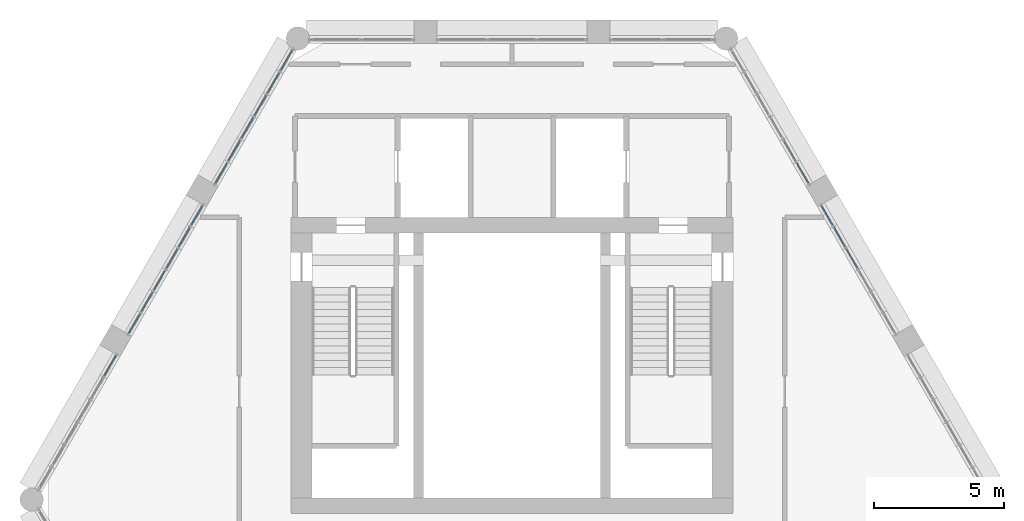
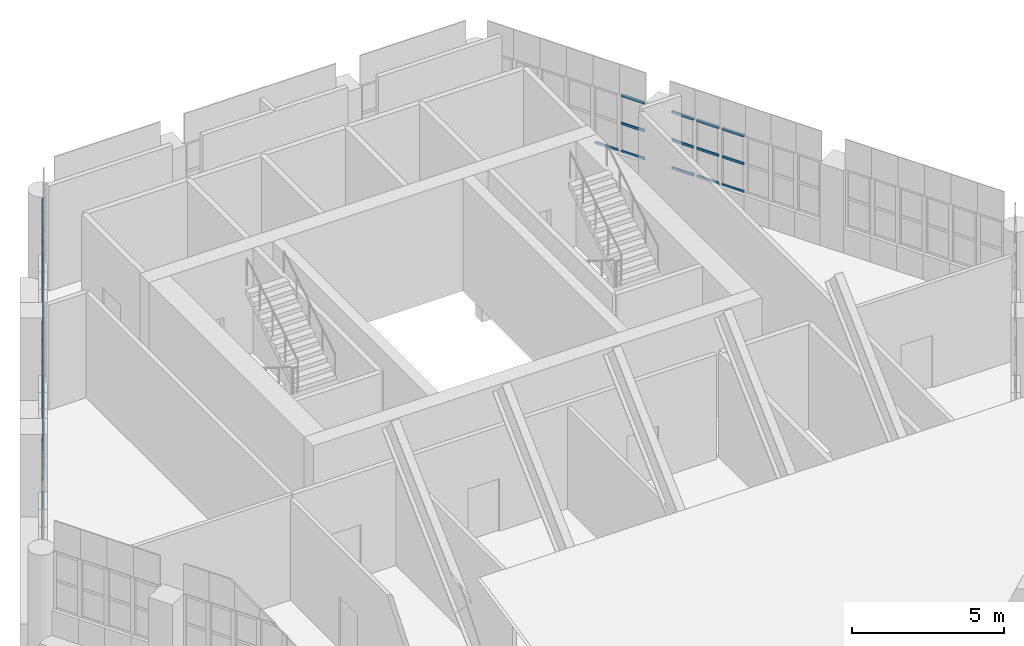
# One storey, part 15 of 25: 52 members, 18 elements without a shape of their own.
"""IFC4 building model written with IfcOpenShell, lengths in metres."""

from ifc_helpers import new_model, si_unit, direction, frame, origin, origin_2d, place, context, subcontext, project, spatial, hollow_rectangle, extrude, material, material_profile, profile_set, type_object, element, aggregate, save


model = new_model("IFC4")

# Units and contexts
model_context = context("Model", 3, precision=1e-05, world=origin(), true_north=direction((0.0, 1.0)))
body_context = subcontext(model_context, "Body", "Model", "MODEL_VIEW")
ifc_project = project(units=[si_unit("LENGTHUNIT", "METRE"), si_unit("AREAUNIT", "SQUARE_METRE"), si_unit("VOLUMEUNIT", "CUBIC_METRE"), si_unit("PLANEANGLEUNIT", "RADIAN"), si_unit("MASSUNIT", "GRAM", prefix="KILO")], contexts=[model_context])

# Site, building, storey
site_placement = place(None, origin())
site = spatial("IfcSite", under=ifc_project, at=site_placement, CompositionType="ELEMENT")
building_placement = place(site_placement, origin())
building = spatial("IfcBuilding", under=site, at=building_placement, Name="Ostrander Bayou Hotel Tower", CompositionType="ELEMENT")
storey_placement = place(building_placement, frame((0.0, 0.0, 275.0)))
storey = spatial("IfcBuildingStorey", under=building, at=storey_placement, Name="L68", CompositionType="ELEMENT", Elevation=275.0)

# Curtain wall, members
ifc_material_1 = material(Name="Aluminium and clear glass", Category="aluminium")
curtain_wall_type = type_object("IfcCurtainWallType", Name="CW-CROWN glazed wall", PredefinedType="NOTDEFINED", material=ifc_material_1)
curtain_wall_1_placement = place(storey_placement, origin())
curtain_wall_1 = element("IfcCurtainWall", 1, at=curtain_wall_1_placement, inside=storey, type_object=curtain_wall_type, Name="CW-CROWN L68:NW-1-1", PredefinedType="NOTDEFINED")
ifc_material_2 = material(Name="Aluminium", Category="aluminium")
ifc_material_profile = material_profile(ifc_material_2, hollow_rectangle(XDim=0.050048828125, YDim=0.10009765625, WallThickness=0.00390625, at=origin_2d()))
ifc_profile_set = profile_set([ifc_material_profile], Name="Aluminium")
member_type = type_object("IfcMemberType", Name="CW-CR transom 50 x 100 mm", PredefinedType="USERDEFINED", material=ifc_profile_set)
member_1_placement = place(storey_placement, frame((-8.4619140625, 16.13037109375, 1.030029296875), z_axis=(-0.500033502416, -0.866006060292, 0.0), x_axis=(0.866006060292, -0.500033502416, 0.0)))
member_1 = element("IfcMember", 2, at=member_1_placement, type_object=member_type, Name="CW-CROWN transom 1.1", ObjectType="TRANSOM", PredefinedType="USERDEFINED", context=body_context, shape_type="SweptSolid", body=[
    extrude(hollow_rectangle(XDim=0.050048828125, YDim=0.10009765625, WallThickness=0.00390625, at=origin_2d()), origin(), (0.0, 0.0, 1.0), 0.88330078125),
])
member_2_placement = place(storey_placement, frame((-8.4619140625, 16.13037109375, 2.14990234375), z_axis=(-0.500033502416, -0.866006060292, 0.0), x_axis=(0.866006060292, -0.500033502416, 0.0)))
member_2 = element("IfcMember", 3, at=member_2_placement, type_object=member_type, Name="CW-CROWN transom 1.2", ObjectType="TRANSOM", PredefinedType="USERDEFINED", context=body_context, shape_type="SweptSolid", body=[
    extrude(hollow_rectangle(XDim=0.050048828125, YDim=0.10009765625, WallThickness=0.00390625, at=origin_2d()), origin(), (0.0, 0.0, 1.0), 0.88330078125),
])
member_3_placement = place(storey_placement, frame((-8.4619140625, 16.13037109375, 3.27001953125), z_axis=(-0.500033502416, -0.866006060292, 0.0), x_axis=(0.866006060292, -0.500033502416, 0.0)))
member_3 = element("IfcMember", 4, at=member_3_placement, type_object=member_type, Name="CW-CROWN transom 1.3", ObjectType="TRANSOM", PredefinedType="USERDEFINED", context=body_context, shape_type="SweptSolid", body=[
    extrude(hollow_rectangle(XDim=0.050048828125, YDim=0.10009765625, WallThickness=0.00390625, at=origin_2d()), origin(), (0.0, 0.0, 1.0), 0.88330078125),
])
aggregate(curtain_wall_1, [member_1, member_2, member_3])

curtain_wall_2_placement = place(storey_placement, origin())
curtain_wall_2 = element("IfcCurtainWall", 5, at=curtain_wall_2_placement, inside=storey, type_object=curtain_wall_type, Name="CW-CROWN L68:NW-1-2", PredefinedType="NOTDEFINED")
member_4_placement = place(storey_placement, frame((-8.963623046875, 15.26171875, 1.030029296875), z_axis=(-0.500033502416, -0.866006060292, 0.0), x_axis=(0.866006060292, -0.500033502416, 0.0)))
member_4 = element("IfcMember", 6, at=member_4_placement, type_object=member_type, Name="CW-CROWN transom 1.1", ObjectType="TRANSOM", PredefinedType="USERDEFINED", context=body_context, shape_type="SweptSolid", body=[
    extrude(hollow_rectangle(XDim=0.050048828125, YDim=0.10009765625, WallThickness=0.00390625, at=origin_2d()), origin(), (0.0, 0.0, 1.0), 0.88330078125),
])
member_5_placement = place(storey_placement, frame((-8.963623046875, 15.26171875, 2.14990234375), z_axis=(-0.500033502416, -0.866006060292, 0.0), x_axis=(0.866006060292, -0.500033502416, 0.0)))
member_5 = element("IfcMember", 7, at=member_5_placement, type_object=member_type, Name="CW-CROWN transom 1.2", ObjectType="TRANSOM", PredefinedType="USERDEFINED", context=body_context, shape_type="SweptSolid", body=[
    extrude(hollow_rectangle(XDim=0.050048828125, YDim=0.10009765625, WallThickness=0.00390625, at=origin_2d()), origin(), (0.0, 0.0, 1.0), 0.88330078125),
])
member_6_placement = place(storey_placement, frame((-8.963623046875, 15.26171875, 3.27001953125), z_axis=(-0.500033502416, -0.866006060292, 0.0), x_axis=(0.866006060292, -0.500033502416, 0.0)))
member_6 = element("IfcMember", 8, at=member_6_placement, type_object=member_type, Name="CW-CROWN transom 1.3", ObjectType="TRANSOM", PredefinedType="USERDEFINED", context=body_context, shape_type="SweptSolid", body=[
    extrude(hollow_rectangle(XDim=0.050048828125, YDim=0.10009765625, WallThickness=0.00390625, at=origin_2d()), origin(), (0.0, 0.0, 1.0), 0.88330078125),
])
aggregate(curtain_wall_2, [member_4, member_5, member_6])

curtain_wall_3_placement = place(storey_placement, origin())
curtain_wall_3 = element("IfcCurtainWall", 9, at=curtain_wall_3_placement, inside=storey, type_object=curtain_wall_type, Name="CW-CROWN L68:NW-1-3", PredefinedType="NOTDEFINED")
member_7_placement = place(storey_placement, frame((-9.465087890625, 14.392822265625, 1.030029296875), z_axis=(-0.500153222552, -0.865936922628, 0.0), x_axis=(0.865936922628, -0.500153222552, 0.0)))
member_7 = element("IfcMember", 10, at=member_7_placement, type_object=member_type, Name="CW-CROWN transom 1.1", ObjectType="TRANSOM", PredefinedType="USERDEFINED", context=body_context, shape_type="SweptSolid", body=[
    extrude(hollow_rectangle(XDim=0.050048828125, YDim=0.10009765625, WallThickness=0.00390625, at=origin_2d()), origin(), (0.0, 0.0, 1.0), 0.883056640625),
])
member_8_placement = place(storey_placement, frame((-9.465087890625, 14.392822265625, 2.14990234375), z_axis=(-0.500153222552, -0.865936922628, 0.0), x_axis=(0.865936922628, -0.500153222552, 0.0)))
member_8 = element("IfcMember", 11, at=member_8_placement, type_object=member_type, Name="CW-CROWN transom 1.2", ObjectType="TRANSOM", PredefinedType="USERDEFINED", context=body_context, shape_type="SweptSolid", body=[
    extrude(hollow_rectangle(XDim=0.050048828125, YDim=0.10009765625, WallThickness=0.00390625, at=origin_2d()), origin(), (0.0, 0.0, 1.0), 0.883056640625),
])
member_9_placement = place(storey_placement, frame((-9.465087890625, 14.392822265625, 3.27001953125), z_axis=(-0.500153222552, -0.865936922628, 0.0), x_axis=(0.865936922628, -0.500153222552, 0.0)))
member_9 = element("IfcMember", 12, at=member_9_placement, type_object=member_type, Name="CW-CROWN transom 1.3", ObjectType="TRANSOM", PredefinedType="USERDEFINED", context=body_context, shape_type="SweptSolid", body=[
    extrude(hollow_rectangle(XDim=0.050048828125, YDim=0.10009765625, WallThickness=0.00390625, at=origin_2d()), origin(), (0.0, 0.0, 1.0), 0.883056640625),
])
aggregate(curtain_wall_3, [member_7, member_8, member_9])

curtain_wall_4_placement = place(storey_placement, origin())
curtain_wall_4 = element("IfcCurtainWall", 13, at=curtain_wall_4_placement, inside=storey, type_object=curtain_wall_type, Name="CW-CROWN L68:NW-1-4", PredefinedType="NOTDEFINED")
member_10_placement = place(storey_placement, frame((-9.966796875, 13.524169921875, 1.030029296875), z_axis=(-0.499826157957, -0.866125748273, 0.0), x_axis=(0.866125748273, -0.499826157957, 0.0)))
member_10 = element("IfcMember", 14, at=member_10_placement, type_object=member_type, Name="CW-CROWN transom 1.1", ObjectType="TRANSOM", PredefinedType="USERDEFINED", context=body_context, shape_type="SweptSolid", body=[
    extrude(hollow_rectangle(XDim=0.050048828125, YDim=0.10009765625, WallThickness=0.00390625, at=origin_2d()), origin(), (0.0, 0.0, 1.0), 0.883056640625),
])
member_11_placement = place(storey_placement, frame((-9.966796875, 13.524169921875, 2.14990234375), z_axis=(-0.499826157957, -0.866125748273, 0.0), x_axis=(0.866125748273, -0.499826157957, 0.0)))
member_11 = element("IfcMember", 15, at=member_11_placement, type_object=member_type, Name="CW-CROWN transom 1.2", ObjectType="TRANSOM", PredefinedType="USERDEFINED", context=body_context, shape_type="SweptSolid", body=[
    extrude(hollow_rectangle(XDim=0.050048828125, YDim=0.10009765625, WallThickness=0.00390625, at=origin_2d()), origin(), (0.0, 0.0, 1.0), 0.883056640625),
])
member_12_placement = place(storey_placement, frame((-9.966796875, 13.524169921875, 3.27001953125), z_axis=(-0.499826157957, -0.866125748273, 0.0), x_axis=(0.866125748273, -0.499826157957, 0.0)))
member_12 = element("IfcMember", 16, at=member_12_placement, type_object=member_type, Name="CW-CROWN transom 1.3", ObjectType="TRANSOM", PredefinedType="USERDEFINED", context=body_context, shape_type="SweptSolid", body=[
    extrude(hollow_rectangle(XDim=0.050048828125, YDim=0.10009765625, WallThickness=0.00390625, at=origin_2d()), origin(), (0.0, 0.0, 1.0), 0.883056640625),
])
aggregate(curtain_wall_4, [member_10, member_11, member_12])

curtain_wall_5_placement = place(storey_placement, origin())
curtain_wall_5 = element("IfcCurtainWall", 17, at=curtain_wall_5_placement, inside=storey, type_object=curtain_wall_type, Name="CW-CROWN L68:NW-1-5", PredefinedType="NOTDEFINED")
member_13_placement = place(storey_placement, frame((-10.46826171875, 12.6552734375, 1.030029296875), z_axis=(-0.500153222552, -0.865936922628, 0.0), x_axis=(0.865936922628, -0.500153222552, 0.0)))
member_13 = element("IfcMember", 18, at=member_13_placement, type_object=member_type, Name="CW-CROWN transom 1.1", ObjectType="TRANSOM", PredefinedType="USERDEFINED", context=body_context, shape_type="SweptSolid", body=[
    extrude(hollow_rectangle(XDim=0.050048828125, YDim=0.10009765625, WallThickness=0.00390625, at=origin_2d()), origin(), (0.0, 0.0, 1.0), 0.883056640625),
])
member_14_placement = place(storey_placement, frame((-10.46826171875, 12.6552734375, 2.14990234375), z_axis=(-0.500153222552, -0.865936922628, 0.0), x_axis=(0.865936922628, -0.500153222552, 0.0)))
member_14 = element("IfcMember", 19, at=member_14_placement, type_object=member_type, Name="CW-CROWN transom 1.2", ObjectType="TRANSOM", PredefinedType="USERDEFINED", context=body_context, shape_type="SweptSolid", body=[
    extrude(hollow_rectangle(XDim=0.050048828125, YDim=0.10009765625, WallThickness=0.00390625, at=origin_2d()), origin(), (0.0, 0.0, 1.0), 0.883056640625),
])
member_15_placement = place(storey_placement, frame((-10.46826171875, 12.6552734375, 3.27001953125), z_axis=(-0.500153222552, -0.865936922628, 0.0), x_axis=(0.865936922628, -0.500153222552, 0.0)))
member_15 = element("IfcMember", 20, at=member_15_placement, type_object=member_type, Name="CW-CROWN transom 1.3", ObjectType="TRANSOM", PredefinedType="USERDEFINED", context=body_context, shape_type="SweptSolid", body=[
    extrude(hollow_rectangle(XDim=0.050048828125, YDim=0.10009765625, WallThickness=0.00390625, at=origin_2d()), origin(), (0.0, 0.0, 1.0), 0.883056640625),
])
aggregate(curtain_wall_5, [member_13, member_14, member_15])

curtain_wall_6_placement = place(storey_placement, origin())
curtain_wall_6 = element("IfcCurtainWall", 21, at=curtain_wall_6_placement, inside=storey, type_object=curtain_wall_type, Name="CW-CROWN L68:NW-1-6", PredefinedType="NOTDEFINED")
member_16_placement = place(storey_placement, frame((-10.969970703125, 11.78662109375, 1.030029296875), z_axis=(-0.500033502416, -0.866006060292, 0.0), x_axis=(0.866006060292, -0.500033502416, 0.0)))
member_16 = element("IfcMember", 22, at=member_16_placement, type_object=member_type, Name="CW-CROWN transom 1.1", ObjectType="TRANSOM", PredefinedType="USERDEFINED", context=body_context, shape_type="SweptSolid", body=[
    extrude(hollow_rectangle(XDim=0.050048828125, YDim=0.10009765625, WallThickness=0.00390625, at=origin_2d()), origin(), (0.0, 0.0, 1.0), 0.88330078125),
])
member_17_placement = place(storey_placement, frame((-10.969970703125, 11.78662109375, 2.14990234375), z_axis=(-0.500033502416, -0.866006060292, 0.0), x_axis=(0.866006060292, -0.500033502416, 0.0)))
member_17 = element("IfcMember", 23, at=member_17_placement, type_object=member_type, Name="CW-CROWN transom 1.2", ObjectType="TRANSOM", PredefinedType="USERDEFINED", context=body_context, shape_type="SweptSolid", body=[
    extrude(hollow_rectangle(XDim=0.050048828125, YDim=0.10009765625, WallThickness=0.00390625, at=origin_2d()), origin(), (0.0, 0.0, 1.0), 0.88330078125),
])
member_18_placement = place(storey_placement, frame((-10.969970703125, 11.78662109375, 3.27001953125), z_axis=(-0.500033502416, -0.866006060292, 0.0), x_axis=(0.866006060292, -0.500033502416, 0.0)))
member_18 = element("IfcMember", 24, at=member_18_placement, type_object=member_type, Name="CW-CROWN transom 1.3", ObjectType="TRANSOM", PredefinedType="USERDEFINED", context=body_context, shape_type="SweptSolid", body=[
    extrude(hollow_rectangle(XDim=0.050048828125, YDim=0.10009765625, WallThickness=0.00390625, at=origin_2d()), origin(), (0.0, 0.0, 1.0), 0.88330078125),
])
aggregate(curtain_wall_6, [member_16, member_17, member_18])

curtain_wall_7_placement = place(storey_placement, origin())
curtain_wall_7 = element("IfcCurtainWall", 25, at=curtain_wall_7_placement, inside=storey, type_object=curtain_wall_type, Name="CW-CROWN L68:NW-2-1", PredefinedType="NOTDEFINED")
member_19_placement = place(storey_placement, frame((-11.92138671875, 10.138427734375, 1.030029296875), z_axis=(-0.500016035621, -0.866016145416, 0.0), x_axis=(0.866016145416, -0.500016035621, 0.0)))
member_19 = element("IfcMember", 26, at=member_19_placement, type_object=member_type, Name="CW-CROWN transom 1.1", ObjectType="TRANSOM", PredefinedType="USERDEFINED", context=body_context, shape_type="SweptSolid", body=[
    extrude(hollow_rectangle(XDim=0.050048828125, YDim=0.10009765625, WallThickness=0.00390625, at=origin_2d()), origin(), (0.0, 0.0, 1.0), 0.83984375),
])
member_20_placement = place(storey_placement, frame((-11.92138671875, 10.138427734375, 2.14990234375), z_axis=(-0.500016035621, -0.866016145416, 0.0), x_axis=(0.866016145416, -0.500016035621, 0.0)))
member_20 = element("IfcMember", 27, at=member_20_placement, type_object=member_type, Name="CW-CROWN transom 1.2", ObjectType="TRANSOM", PredefinedType="USERDEFINED", context=body_context, shape_type="SweptSolid", body=[
    extrude(hollow_rectangle(XDim=0.050048828125, YDim=0.10009765625, WallThickness=0.00390625, at=origin_2d()), origin(), (0.0, 0.0, 1.0), 0.83984375),
])
member_21_placement = place(storey_placement, frame((-11.92138671875, 10.138427734375, 3.27001953125), z_axis=(-0.500016035621, -0.866016145416, 0.0), x_axis=(0.866016145416, -0.500016035621, 0.0)))
member_21 = element("IfcMember", 28, at=member_21_placement, type_object=member_type, Name="CW-CROWN transom 1.3", ObjectType="TRANSOM", PredefinedType="USERDEFINED", context=body_context, shape_type="SweptSolid", body=[
    extrude(hollow_rectangle(XDim=0.050048828125, YDim=0.10009765625, WallThickness=0.00390625, at=origin_2d()), origin(), (0.0, 0.0, 1.0), 0.83984375),
])
aggregate(curtain_wall_7, [member_19, member_20, member_21])

curtain_wall_8_placement = place(storey_placement, origin())
curtain_wall_8 = element("IfcCurtainWall", 29, at=curtain_wall_8_placement, inside=storey, type_object=curtain_wall_type, Name="CW-CROWN L68:NW-2-2", PredefinedType="NOTDEFINED")
member_22_placement = place(storey_placement, frame((-12.4013671875, 9.30712890625, 1.030029296875), z_axis=(-0.500141944548, -0.86594343655, 0.0), x_axis=(0.86594343655, -0.500141944548, 0.0)))
member_22 = element("IfcMember", 30, at=member_22_placement, type_object=member_type, Name="CW-CROWN transom 1.1", ObjectType="TRANSOM", PredefinedType="USERDEFINED", context=body_context, shape_type="SweptSolid", body=[
    extrude(hollow_rectangle(XDim=0.050048828125, YDim=0.10009765625, WallThickness=0.00390625, at=origin_2d()), origin(), (0.0, 0.0, 1.0), 0.839599609375),
])
member_23_placement = place(storey_placement, frame((-12.4013671875, 9.30712890625, 2.14990234375), z_axis=(-0.500141944548, -0.86594343655, 0.0), x_axis=(0.86594343655, -0.500141944548, 0.0)))
member_23 = element("IfcMember", 31, at=member_23_placement, type_object=member_type, Name="CW-CROWN transom 1.2", ObjectType="TRANSOM", PredefinedType="USERDEFINED", context=body_context, shape_type="SweptSolid", body=[
    extrude(hollow_rectangle(XDim=0.050048828125, YDim=0.10009765625, WallThickness=0.00390625, at=origin_2d()), origin(), (0.0, 0.0, 1.0), 0.839599609375),
])
member_24_placement = place(storey_placement, frame((-12.4013671875, 9.30712890625, 3.27001953125), z_axis=(-0.500141944548, -0.86594343655, 0.0), x_axis=(0.86594343655, -0.500141944548, 0.0)))
member_24 = element("IfcMember", 32, at=member_24_placement, type_object=member_type, Name="CW-CROWN transom 1.3", ObjectType="TRANSOM", PredefinedType="USERDEFINED", context=body_context, shape_type="SweptSolid", body=[
    extrude(hollow_rectangle(XDim=0.050048828125, YDim=0.10009765625, WallThickness=0.00390625, at=origin_2d()), origin(), (0.0, 0.0, 1.0), 0.839599609375),
])
aggregate(curtain_wall_8, [member_22, member_23, member_24])

curtain_wall_9_placement = place(storey_placement, origin())
curtain_wall_9 = element("IfcCurtainWall", 33, at=curtain_wall_9_placement, inside=storey, type_object=curtain_wall_type, Name="CW-CROWN L68:NW-2-3", PredefinedType="NOTDEFINED")
member_25_placement = place(storey_placement, frame((-12.88134765625, 8.47607421875, 1.030029296875), z_axis=(-0.500016035621, -0.866016145416, 0.0), x_axis=(0.866016145416, -0.500016035621, 0.0)))
member_25 = element("IfcMember", 34, at=member_25_placement, type_object=member_type, Name="CW-CROWN transom 1.1", ObjectType="TRANSOM", PredefinedType="USERDEFINED", context=body_context, shape_type="SweptSolid", body=[
    extrude(hollow_rectangle(XDim=0.050048828125, YDim=0.10009765625, WallThickness=0.00390625, at=origin_2d()), origin(), (0.0, 0.0, 1.0), 0.83984375),
])
member_26_placement = place(storey_placement, frame((-12.88134765625, 8.47607421875, 2.14990234375), z_axis=(-0.500016035621, -0.866016145416, 0.0), x_axis=(0.866016145416, -0.500016035621, 0.0)))
member_26 = element("IfcMember", 35, at=member_26_placement, type_object=member_type, Name="CW-CROWN transom 1.2", ObjectType="TRANSOM", PredefinedType="USERDEFINED", context=body_context, shape_type="SweptSolid", body=[
    extrude(hollow_rectangle(XDim=0.050048828125, YDim=0.10009765625, WallThickness=0.00390625, at=origin_2d()), origin(), (0.0, 0.0, 1.0), 0.83984375),
])
member_27_placement = place(storey_placement, frame((-12.88134765625, 8.47607421875, 3.27001953125), z_axis=(-0.500016035621, -0.866016145416, 0.0), x_axis=(0.866016145416, -0.500016035621, 0.0)))
member_27 = element("IfcMember", 36, at=member_27_placement, type_object=member_type, Name="CW-CROWN transom 1.3", ObjectType="TRANSOM", PredefinedType="USERDEFINED", context=body_context, shape_type="SweptSolid", body=[
    extrude(hollow_rectangle(XDim=0.050048828125, YDim=0.10009765625, WallThickness=0.00390625, at=origin_2d()), origin(), (0.0, 0.0, 1.0), 0.83984375),
])
aggregate(curtain_wall_9, [member_25, member_26, member_27])

curtain_wall_10_placement = place(storey_placement, origin())
curtain_wall_10 = element("IfcCurtainWall", 37, at=curtain_wall_10_placement, inside=storey, type_object=curtain_wall_type, Name="CW-CROWN L68:NW-2-4", PredefinedType="NOTDEFINED")
member_28_placement = place(storey_placement, frame((-13.361083984375, 7.644775390625, 1.030029296875), z_axis=(-0.500016035621, -0.866016145416, 0.0), x_axis=(0.866016145416, -0.500016035621, 0.0)))
member_28 = element("IfcMember", 38, at=member_28_placement, type_object=member_type, Name="CW-CROWN transom 1.1", ObjectType="TRANSOM", PredefinedType="USERDEFINED", context=body_context, shape_type="SweptSolid", body=[
    extrude(hollow_rectangle(XDim=0.050048828125, YDim=0.10009765625, WallThickness=0.00390625, at=origin_2d()), origin(), (0.0, 0.0, 1.0), 0.83984375),
])
member_29_placement = place(storey_placement, frame((-13.361083984375, 7.644775390625, 2.14990234375), z_axis=(-0.500016035621, -0.866016145416, 0.0), x_axis=(0.866016145416, -0.500016035621, 0.0)))
member_29 = element("IfcMember", 39, at=member_29_placement, type_object=member_type, Name="CW-CROWN transom 1.2", ObjectType="TRANSOM", PredefinedType="USERDEFINED", context=body_context, shape_type="SweptSolid", body=[
    extrude(hollow_rectangle(XDim=0.050048828125, YDim=0.10009765625, WallThickness=0.00390625, at=origin_2d()), origin(), (0.0, 0.0, 1.0), 0.83984375),
])
member_30_placement = place(storey_placement, frame((-13.361083984375, 7.644775390625, 3.27001953125), z_axis=(-0.500016035621, -0.866016145416, 0.0), x_axis=(0.866016145416, -0.500016035621, 0.0)))
member_30 = element("IfcMember", 40, at=member_30_placement, type_object=member_type, Name="CW-CROWN transom 1.3", ObjectType="TRANSOM", PredefinedType="USERDEFINED", context=body_context, shape_type="SweptSolid", body=[
    extrude(hollow_rectangle(XDim=0.050048828125, YDim=0.10009765625, WallThickness=0.00390625, at=origin_2d()), origin(), (0.0, 0.0, 1.0), 0.83984375),
])
aggregate(curtain_wall_10, [member_28, member_29, member_30])

curtain_wall_11_placement = place(storey_placement, origin())
curtain_wall_11 = element("IfcCurtainWall", 41, at=curtain_wall_11_placement, inside=storey, type_object=curtain_wall_type, Name="CW-CROWN L68:NW-2-5", PredefinedType="NOTDEFINED")
member_31_placement = place(storey_placement, frame((-13.841064453125, 6.8134765625, 1.030029296875), z_axis=(-0.500016035621, -0.866016145416, 0.0), x_axis=(0.866016145416, -0.500016035621, 0.0)))
member_31 = element("IfcMember", 42, at=member_31_placement, type_object=member_type, Name="CW-CROWN transom 1.1", ObjectType="TRANSOM", PredefinedType="USERDEFINED", context=body_context, shape_type="SweptSolid", body=[
    extrude(hollow_rectangle(XDim=0.050048828125, YDim=0.10009765625, WallThickness=0.00390625, at=origin_2d()), origin(), (0.0, 0.0, 1.0), 0.83984375),
])
member_32_placement = place(storey_placement, frame((-13.841064453125, 6.8134765625, 2.14990234375), z_axis=(-0.500016035621, -0.866016145416, 0.0), x_axis=(0.866016145416, -0.500016035621, 0.0)))
member_32 = element("IfcMember", 43, at=member_32_placement, type_object=member_type, Name="CW-CROWN transom 1.2", ObjectType="TRANSOM", PredefinedType="USERDEFINED", context=body_context, shape_type="SweptSolid", body=[
    extrude(hollow_rectangle(XDim=0.050048828125, YDim=0.10009765625, WallThickness=0.00390625, at=origin_2d()), origin(), (0.0, 0.0, 1.0), 0.83984375),
])
member_33_placement = place(storey_placement, frame((-13.841064453125, 6.8134765625, 3.27001953125), z_axis=(-0.500016035621, -0.866016145416, 0.0), x_axis=(0.866016145416, -0.500016035621, 0.0)))
member_33 = element("IfcMember", 44, at=member_33_placement, type_object=member_type, Name="CW-CROWN transom 1.3", ObjectType="TRANSOM", PredefinedType="USERDEFINED", context=body_context, shape_type="SweptSolid", body=[
    extrude(hollow_rectangle(XDim=0.050048828125, YDim=0.10009765625, WallThickness=0.00390625, at=origin_2d()), origin(), (0.0, 0.0, 1.0), 0.83984375),
])
aggregate(curtain_wall_11, [member_31, member_32, member_33])

curtain_wall_12_placement = place(storey_placement, origin())
curtain_wall_12 = element("IfcCurtainWall", 45, at=curtain_wall_12_placement, inside=storey, type_object=curtain_wall_type, Name="CW-CROWN L68:NW-2-6", PredefinedType="NOTDEFINED")
member_34_placement = place(storey_placement, frame((-14.321044921875, 5.982421875, 1.030029296875), z_axis=(-0.500016035621, -0.866016145416, 0.0), x_axis=(0.866016145416, -0.500016035621, 0.0)))
member_34 = element("IfcMember", 46, at=member_34_placement, type_object=member_type, Name="CW-CROWN transom 1.1", ObjectType="TRANSOM", PredefinedType="USERDEFINED", context=body_context, shape_type="SweptSolid", body=[
    extrude(hollow_rectangle(XDim=0.050048828125, YDim=0.10009765625, WallThickness=0.00390625, at=origin_2d()), origin(), (0.0, 0.0, 1.0), 0.83984375),
])
member_35_placement = place(storey_placement, frame((-14.321044921875, 5.982421875, 2.14990234375), z_axis=(-0.500016035621, -0.866016145416, 0.0), x_axis=(0.866016145416, -0.500016035621, 0.0)))
member_35 = element("IfcMember", 47, at=member_35_placement, type_object=member_type, Name="CW-CROWN transom 1.2", ObjectType="TRANSOM", PredefinedType="USERDEFINED", context=body_context, shape_type="SweptSolid", body=[
    extrude(hollow_rectangle(XDim=0.050048828125, YDim=0.10009765625, WallThickness=0.00390625, at=origin_2d()), origin(), (0.0, 0.0, 1.0), 0.83984375),
])
member_36_placement = place(storey_placement, frame((-14.321044921875, 5.982421875, 3.27001953125), z_axis=(-0.500016035621, -0.866016145416, 0.0), x_axis=(0.866016145416, -0.500016035621, 0.0)))
member_36 = element("IfcMember", 48, at=member_36_placement, type_object=member_type, Name="CW-CROWN transom 1.3", ObjectType="TRANSOM", PredefinedType="USERDEFINED", context=body_context, shape_type="SweptSolid", body=[
    extrude(hollow_rectangle(XDim=0.050048828125, YDim=0.10009765625, WallThickness=0.00390625, at=origin_2d()), origin(), (0.0, 0.0, 1.0), 0.83984375),
])
aggregate(curtain_wall_12, [member_34, member_35, member_36])

curtain_wall_13_placement = place(storey_placement, origin())
curtain_wall_13 = element("IfcCurtainWall", 49, at=curtain_wall_13_placement, inside=storey, type_object=curtain_wall_type, Name="CW-CROWN L68:NW-3-1", PredefinedType="NOTDEFINED")
member_37_placement = place(storey_placement, frame((-15.2509765625, 4.371826171875, 1.030029296875), z_axis=(-0.499826157957, -0.866125748273, 0.0), x_axis=(0.866125748273, -0.499826157957, 0.0)))
member_37 = element("IfcMember", 50, at=member_37_placement, type_object=member_type, Name="CW-CROWN transom 1.1", ObjectType="TRANSOM", PredefinedType="USERDEFINED", context=body_context, shape_type="SweptSolid", body=[
    extrude(hollow_rectangle(XDim=0.050048828125, YDim=0.10009765625, WallThickness=0.00390625, at=origin_2d()), origin(), (0.0, 0.0, 1.0), 0.883056640625),
])
member_38_placement = place(storey_placement, frame((-15.2509765625, 4.371826171875, 2.14990234375), z_axis=(-0.499826157957, -0.866125748273, 0.0), x_axis=(0.866125748273, -0.499826157957, 0.0)))
member_38 = element("IfcMember", 51, at=member_38_placement, type_object=member_type, Name="CW-CROWN transom 1.2", ObjectType="TRANSOM", PredefinedType="USERDEFINED", context=body_context, shape_type="SweptSolid", body=[
    extrude(hollow_rectangle(XDim=0.050048828125, YDim=0.10009765625, WallThickness=0.00390625, at=origin_2d()), origin(), (0.0, 0.0, 1.0), 0.883056640625),
])
member_39_placement = place(storey_placement, frame((-15.2509765625, 4.371826171875, 3.27001953125), z_axis=(-0.499826157957, -0.866125748273, 0.0), x_axis=(0.866125748273, -0.499826157957, 0.0)))
member_39 = element("IfcMember", 52, at=member_39_placement, type_object=member_type, Name="CW-CROWN transom 1.3", ObjectType="TRANSOM", PredefinedType="USERDEFINED", context=body_context, shape_type="SweptSolid", body=[
    extrude(hollow_rectangle(XDim=0.050048828125, YDim=0.10009765625, WallThickness=0.00390625, at=origin_2d()), origin(), (0.0, 0.0, 1.0), 0.883056640625),
])
aggregate(curtain_wall_13, [member_37, member_38, member_39])

curtain_wall_14_placement = place(storey_placement, origin())
curtain_wall_14 = element("IfcCurtainWall", 53, at=curtain_wall_14_placement, inside=storey, type_object=curtain_wall_type, Name="CW-CROWN L68:NE-2-4", PredefinedType="NOTDEFINED")
member_40_placement = place(storey_placement, frame((13.30126953125, 7.748779296875, 1.030029296875), z_axis=(-0.500016035621, 0.866016145416, 0.0), x_axis=(-0.866016145416, -0.500016035621, 0.0)))
member_40 = element("IfcMember", 54, at=member_40_placement, type_object=member_type, Name="CW-CROWN transom 1.1", ObjectType="TRANSOM", PredefinedType="USERDEFINED", context=body_context, shape_type="SweptSolid", body=[
    extrude(hollow_rectangle(XDim=0.050048828125, YDim=0.10009765625, WallThickness=0.00390625, at=origin_2d()), origin(), (0.0, 0.0, 1.0), 0.83984375),
])
member_41_placement = place(storey_placement, frame((13.30126953125, 7.748779296875, 2.14990234375), z_axis=(-0.500016035621, 0.866016145416, 0.0), x_axis=(-0.866016145416, -0.500016035621, 0.0)))
member_41 = element("IfcMember", 55, at=member_41_placement, type_object=member_type, Name="CW-CROWN transom 1.2", ObjectType="TRANSOM", PredefinedType="USERDEFINED", context=body_context, shape_type="SweptSolid", body=[
    extrude(hollow_rectangle(XDim=0.050048828125, YDim=0.10009765625, WallThickness=0.00390625, at=origin_2d()), origin(), (0.0, 0.0, 1.0), 0.83984375),
])
member_42_placement = place(storey_placement, frame((13.30126953125, 7.748779296875, 3.27001953125), z_axis=(-0.500016035621, 0.866016145416, 0.0), x_axis=(-0.866016145416, -0.500016035621, 0.0)))
member_42 = element("IfcMember", 56, at=member_42_placement, type_object=member_type, Name="CW-CROWN transom 1.3", ObjectType="TRANSOM", PredefinedType="USERDEFINED", context=body_context, shape_type="SweptSolid", body=[
    extrude(hollow_rectangle(XDim=0.050048828125, YDim=0.10009765625, WallThickness=0.00390625, at=origin_2d()), origin(), (0.0, 0.0, 1.0), 0.83984375),
])
aggregate(curtain_wall_14, [member_40, member_41, member_42])

curtain_wall_15_placement = place(storey_placement, origin())
curtain_wall_15 = element("IfcCurtainWall", 57, at=curtain_wall_15_placement, inside=storey, type_object=curtain_wall_type, Name="CW-CROWN L68:NE-2-5", PredefinedType="NOTDEFINED")
member_43_placement = place(storey_placement, frame((12.8212890625, 8.580078125, 1.030029296875), z_axis=(-0.500141944548, 0.86594343655, 0.0), x_axis=(-0.86594343655, -0.500141944548, 0.0)))
member_43 = element("IfcMember", 58, at=member_43_placement, type_object=member_type, Name="CW-CROWN transom 1.1", ObjectType="TRANSOM", PredefinedType="USERDEFINED", context=body_context, shape_type="SweptSolid", body=[
    extrude(hollow_rectangle(XDim=0.050048828125, YDim=0.10009765625, WallThickness=0.00390625, at=origin_2d()), origin(), (0.0, 0.0, 1.0), 0.839599609375),
])
member_44_placement = place(storey_placement, frame((12.8212890625, 8.580078125, 2.14990234375), z_axis=(-0.500141944548, 0.86594343655, 0.0), x_axis=(-0.86594343655, -0.500141944548, 0.0)))
member_44 = element("IfcMember", 59, at=member_44_placement, type_object=member_type, Name="CW-CROWN transom 1.2", ObjectType="TRANSOM", PredefinedType="USERDEFINED", context=body_context, shape_type="SweptSolid", body=[
    extrude(hollow_rectangle(XDim=0.050048828125, YDim=0.10009765625, WallThickness=0.00390625, at=origin_2d()), origin(), (0.0, 0.0, 1.0), 0.839599609375),
])
member_45_placement = place(storey_placement, frame((12.8212890625, 8.580078125, 3.27001953125), z_axis=(-0.500141944548, 0.86594343655, 0.0), x_axis=(-0.86594343655, -0.500141944548, 0.0)))
member_45 = element("IfcMember", 60, at=member_45_placement, type_object=member_type, Name="CW-CROWN transom 1.3", ObjectType="TRANSOM", PredefinedType="USERDEFINED", context=body_context, shape_type="SweptSolid", body=[
    extrude(hollow_rectangle(XDim=0.050048828125, YDim=0.10009765625, WallThickness=0.00390625, at=origin_2d()), origin(), (0.0, 0.0, 1.0), 0.839599609375),
])
aggregate(curtain_wall_15, [member_43, member_44, member_45])

curtain_wall_16_placement = place(storey_placement, origin())
curtain_wall_16 = element("IfcCurtainWall", 61, at=curtain_wall_16_placement, inside=storey, type_object=curtain_wall_type, Name="CW-CROWN L68:NE-2-6", PredefinedType="NOTDEFINED")
member_46_placement = place(storey_placement, frame((12.34130859375, 9.4111328125, 1.030029296875), z_axis=(-0.500016035621, 0.866016145416, 0.0), x_axis=(-0.866016145416, -0.500016035621, 0.0)))
member_46 = element("IfcMember", 62, at=member_46_placement, type_object=member_type, Name="CW-CROWN transom 1.1", ObjectType="TRANSOM", PredefinedType="USERDEFINED", context=body_context, shape_type="SweptSolid", body=[
    extrude(hollow_rectangle(XDim=0.050048828125, YDim=0.10009765625, WallThickness=0.00390625, at=origin_2d()), origin(), (0.0, 0.0, 1.0), 0.83984375),
])
member_47_placement = place(storey_placement, frame((12.34130859375, 9.4111328125, 2.14990234375), z_axis=(-0.500016035621, 0.866016145416, 0.0), x_axis=(-0.866016145416, -0.500016035621, 0.0)))
member_47 = element("IfcMember", 63, at=member_47_placement, type_object=member_type, Name="CW-CROWN transom 1.2", ObjectType="TRANSOM", PredefinedType="USERDEFINED", context=body_context, shape_type="SweptSolid", body=[
    extrude(hollow_rectangle(XDim=0.050048828125, YDim=0.10009765625, WallThickness=0.00390625, at=origin_2d()), origin(), (0.0, 0.0, 1.0), 0.83984375),
])
member_48_placement = place(storey_placement, frame((12.34130859375, 9.4111328125, 3.27001953125), z_axis=(-0.500016035621, 0.866016145416, 0.0), x_axis=(-0.866016145416, -0.500016035621, 0.0)))
member_48 = element("IfcMember", 64, at=member_48_placement, type_object=member_type, Name="CW-CROWN transom 1.3", ObjectType="TRANSOM", PredefinedType="USERDEFINED", context=body_context, shape_type="SweptSolid", body=[
    extrude(hollow_rectangle(XDim=0.050048828125, YDim=0.10009765625, WallThickness=0.00390625, at=origin_2d()), origin(), (0.0, 0.0, 1.0), 0.83984375),
])
aggregate(curtain_wall_16, [member_46, member_47, member_48])

curtain_wall_17_placement = place(storey_placement, origin())
curtain_wall_17 = element("IfcCurtainWall", 65, at=curtain_wall_17_placement, inside=storey, type_object=curtain_wall_type, Name="CW-CROWN L68:NE-3-1", PredefinedType="NOTDEFINED")
member_49_placement = place(storey_placement, frame((11.41162109375, 11.021728515625, 1.030029296875), z_axis=(-0.500033502416, 0.866006060292, 0.0), x_axis=(-0.866006060292, -0.500033502416, 0.0)))
member_49 = element("IfcMember", 66, at=member_49_placement, type_object=member_type, Name="CW-CROWN transom 1.1", ObjectType="TRANSOM", PredefinedType="USERDEFINED", context=body_context, shape_type="SweptSolid", body=[
    extrude(hollow_rectangle(XDim=0.050048828125, YDim=0.10009765625, WallThickness=0.00390625, at=origin_2d()), origin(), (0.0, 0.0, 1.0), 0.88330078125),
])
member_50_placement = place(storey_placement, frame((11.41162109375, 11.021728515625, 2.14990234375), z_axis=(-0.500033502416, 0.866006060292, 0.0), x_axis=(-0.866006060292, -0.500033502416, 0.0)))
member_50 = element("IfcMember", 67, at=member_50_placement, type_object=member_type, Name="CW-CROWN transom 1.2", ObjectType="TRANSOM", PredefinedType="USERDEFINED", context=body_context, shape_type="SweptSolid", body=[
    extrude(hollow_rectangle(XDim=0.050048828125, YDim=0.10009765625, WallThickness=0.00390625, at=origin_2d()), origin(), (0.0, 0.0, 1.0), 0.88330078125),
])
member_51_placement = place(storey_placement, frame((11.41162109375, 11.021728515625, 3.27001953125), z_axis=(-0.500033502416, 0.866006060292, 0.0), x_axis=(-0.866006060292, -0.500033502416, 0.0)))
member_51 = element("IfcMember", 68, at=member_51_placement, type_object=member_type, Name="CW-CROWN transom 1.3", ObjectType="TRANSOM", PredefinedType="USERDEFINED", context=body_context, shape_type="SweptSolid", body=[
    extrude(hollow_rectangle(XDim=0.050048828125, YDim=0.10009765625, WallThickness=0.00390625, at=origin_2d()), origin(), (0.0, 0.0, 1.0), 0.88330078125),
])
aggregate(curtain_wall_17, [member_49, member_50, member_51])

# Curtain wall, member
curtain_wall_18_placement = place(storey_placement, origin())
curtain_wall_18 = element("IfcCurtainWall", 69, at=curtain_wall_18_placement, inside=storey, type_object=curtain_wall_type, Name="CW-CROWN L68:NE-3-2", PredefinedType="NOTDEFINED")
member_52_placement = place(storey_placement, frame((10.909912109375, 11.890625, 1.030029296875), z_axis=(-0.500153222552, 0.865936922628, 0.0), x_axis=(-0.865936922628, -0.500153222552, 0.0)))
member_52 = element("IfcMember", 70, at=member_52_placement, type_object=member_type, Name="CW-CROWN transom 1.1", ObjectType="TRANSOM", PredefinedType="USERDEFINED", context=body_context, shape_type="SweptSolid", body=[
    extrude(hollow_rectangle(XDim=0.050048828125, YDim=0.10009765625, WallThickness=0.00390625, at=origin_2d()), origin(), (0.0, 0.0, 1.0), 0.883056640625),
])
aggregate(curtain_wall_18, [member_52])

save(model, "model.ifc")
